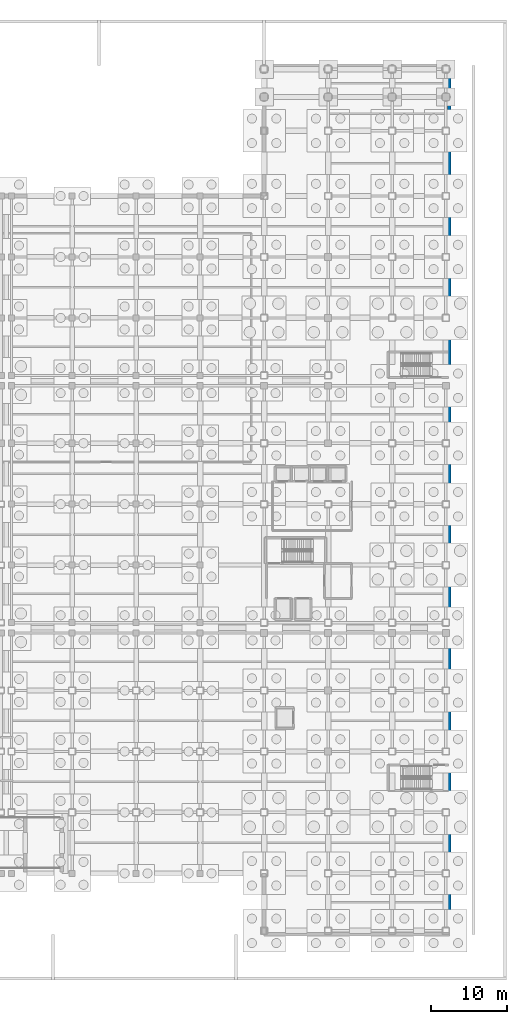
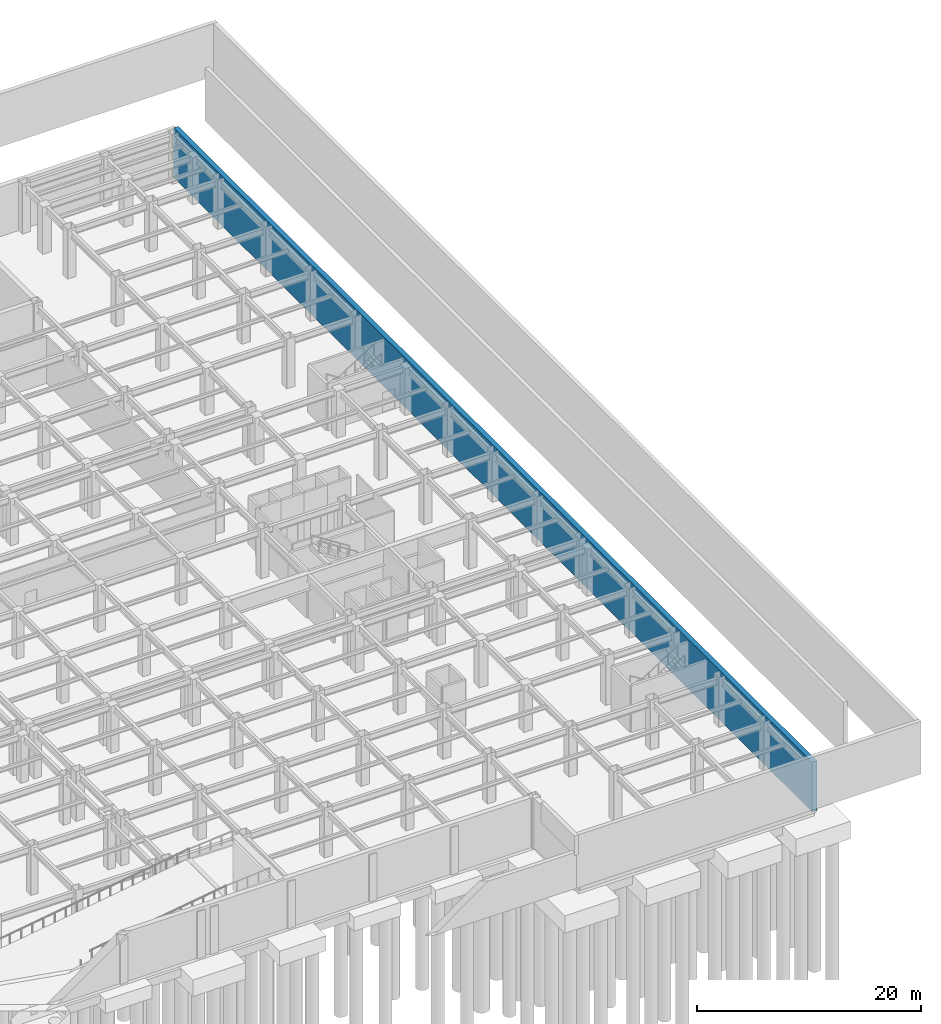
# One storey, part 38 of 55: 1 wall.
"""IFC4 building model written with IfcOpenShell, lengths in metres."""

from ifc_helpers import new_model, si_unit, direction, frame, frame_2d, origin, place, context, subcontext, project, spatial, rectangle, extrude, material, layer, layer_set, type_object, element, save


model = new_model("IFC4")

# Units and contexts
model_context = context("Model", 3, precision=1e-05, world=origin(), true_north=direction((0.0, 1.0)))
body_context = subcontext(model_context, "Body", "Model", "MODEL_VIEW")
ifc_project = project(units=[si_unit("LENGTHUNIT", "METRE"), si_unit("AREAUNIT", "SQUARE_METRE"), si_unit("VOLUMEUNIT", "CUBIC_METRE"), si_unit("PLANEANGLEUNIT", "RADIAN"), si_unit("MASSUNIT", "GRAM", prefix="KILO")], contexts=[model_context])

# Site, building, storey
site_placement = place(None, origin())
site = spatial("IfcSite", under=ifc_project, at=site_placement, CompositionType="ELEMENT")
building_placement = place(site_placement, origin())
building = spatial("IfcBuilding", under=site, at=building_placement, Name="Kazehara Bluff Congress Hotel", CompositionType="ELEMENT")
storey_placement = place(building_placement, frame((0.0, 0.0, -5.39990234375)))
storey = spatial("IfcBuildingStorey", under=building, at=storey_placement, Name="B1", CompositionType="ELEMENT", Elevation=-5.39990234375)

# Wall
ifc_material = material(Name="Concrete C40/50", Category="concrete")
ifc_layer = layer(ifc_material, 0.5)
ifc_layer_set = layer_set([ifc_layer], Name="Concrete C40/50")
wall_type = type_object("IfcWallType", Name="TP-RW-500", PredefinedType="USERDEFINED", material=ifc_layer_set)
wall_placement = place(storey_placement, frame((168.0, 0.0, 0.0), z_axis=(0.0, 0.0, 1.0), x_axis=(0.0, 1.0, 0.0)))
element("IfcWall", 1, at=wall_placement, inside=storey, type_object=wall_type, Name="Basement perimeter retaining wall 6", ObjectType="RETAININGWALL", PredefinedType="USERDEFINED", context=body_context, shape_type="SweptSolid", body=[
    extrude(rectangle(XDim=114.0, YDim=0.5, at=frame_2d((57.0, 0.0))), origin(), (0.0, 0.0, 1.0), 5.39990234375),
])

save(model, "model.ifc")
